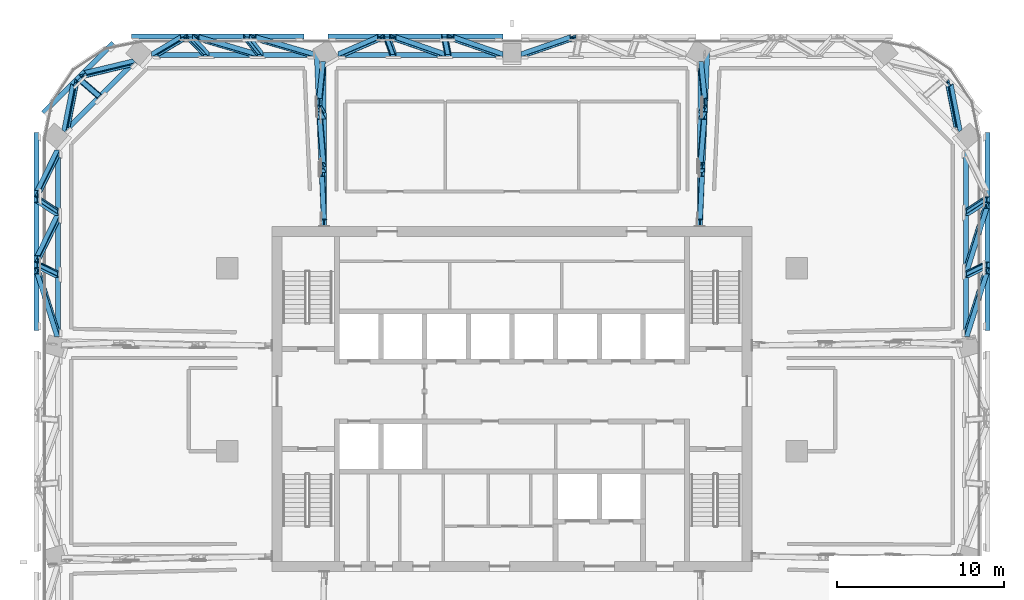
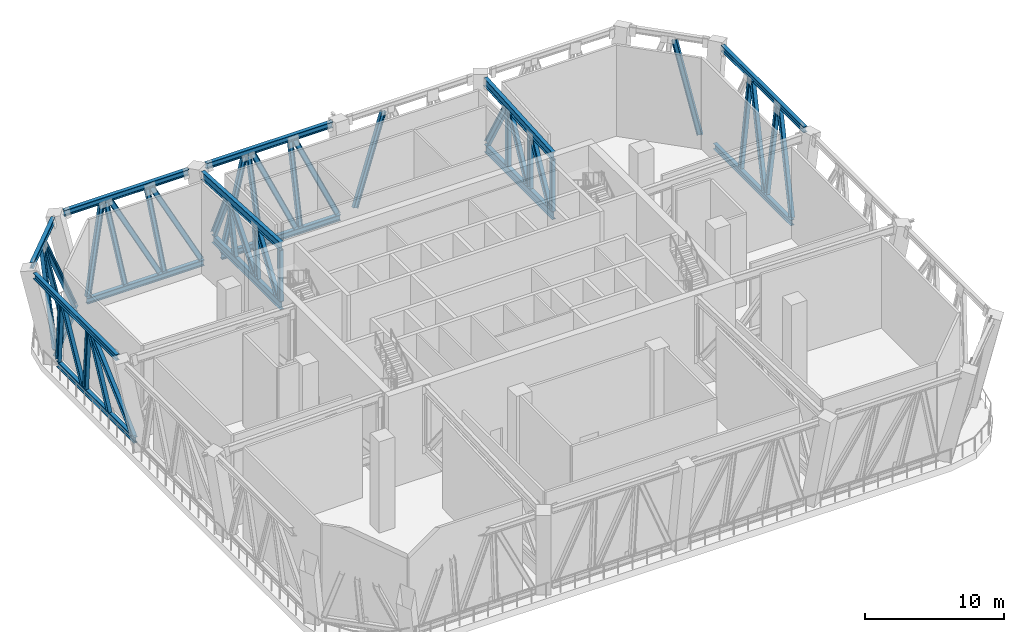
# One storey, part 4 of 24: 50 members.
"""IFC4 building model written with IfcOpenShell, lengths in metres."""

import ifcopenshell
import ifcopenshell.guid

model = None  # the IFC model being written
_history = None  # IfcOwnerHistory: only IFC2X3 demands one
_inside = {}  # id of a spatial element -> (the spatial element, [elements in it])
_under = {}  # id of a project, library or spatial element -> (it, [spatial elements below it])
_declared = {}  # id of a project -> (the project, [libraries it declares])
_typed = {}  # id of a type object -> (the type object, [elements of that type])
_made_of = {}  # id of a material, layer set ... -> (it, [elements and type objects made of it])


def new_model(schema):
    """Start an empty IFC model of exactly this schema.

    Asked for "IFC4X3", IfcOpenShell would pick the latest addendum, in which some entities
    have other attributes; the version numbers below select the first issue.
    IFC2X3 requires an IfcOwnerHistory on every rooted entity: one is made here for all.
    """
    global model, _history
    if schema == "IFC4X3":
        model = ifcopenshell.file(schema_version=(4, 3, 0, 0))
    else:
        model = ifcopenshell.file(schema=schema)
    _inside.clear()
    _under.clear()
    _declared.clear()
    _typed.clear()
    _made_of.clear()
    _history = None
    if model.schema == "IFC2X3":
        org = make("IfcOrganization", Name="unknown")
        user = make(
            "IfcPersonAndOrganization",
            ThePerson=make("IfcPerson", FamilyName="unknown"),
            TheOrganization=org,
        )
        app = make(
            "IfcApplication",
            ApplicationDeveloper=org,
            Version="unknown",
            ApplicationFullName="unknown",
            ApplicationIdentifier="unknown",
        )
        _history = make(
            "IfcOwnerHistory",
            OwningUser=user,
            OwningApplication=app,
            ChangeAction="ADDED",
            CreationDate=0,
        )
    return model


def make(cls, **values):
    """One entity of the class cls with the attributes given. An attribute that is None is left unset."""
    return model.create_entity(
        cls, **{name: value for name, value in values.items() if value is not None}
    )


def rooted(cls, **values):
    """An entity with a GlobalId (a new one), such as an element, a storey or a relation."""
    return make(cls, GlobalId=ifcopenshell.guid.new(), OwnerHistory=_history, **values)


def si_unit(unit_type, name, prefix=None):
    """IfcSIUnit, for example si_unit("LENGTHUNIT", "METRE", prefix="MILLI")."""
    return make("IfcSIUnit", UnitType=unit_type, Prefix=prefix, Name=name)


def assignment(units):
    """IfcUnitAssignment: the units of a project."""
    return None if units is None else make("IfcUnitAssignment", Units=units)


def point(xyz):
    """IfcCartesianPoint."""
    return None if xyz is None else make("IfcCartesianPoint", Coordinates=xyz)


def direction(xyz):
    """IfcDirection."""
    return None if xyz is None else make("IfcDirection", DirectionRatios=xyz)


def frame(location, z_axis=None, x_axis=None):
    """IfcAxis2Placement3D, a coordinate frame: its origin and axes. An axis left out is left unset."""
    return make(
        "IfcAxis2Placement3D",
        Location=point(location),
        Axis=direction(z_axis),
        RefDirection=direction(x_axis),
    )


def frame_2d(location, x_axis=None):
    """IfcAxis2Placement2D, a coordinate frame in the plane: its origin and x axis."""
    return make(
        "IfcAxis2Placement2D", Location=point(location), RefDirection=direction(x_axis)
    )


def origin():
    """The frame at (0, 0, 0) with its axes left unset."""
    return frame((0.0, 0.0, 0.0))


def origin_2d():
    """The frame at (0, 0) in the plane with its x axis left unset."""
    return frame_2d((0.0, 0.0))


def place(relative_to, where):
    """IfcLocalPlacement: puts the frame where relative to a parent placement (None: the world)."""
    return make(
        "IfcLocalPlacement", PlacementRelTo=relative_to, RelativePlacement=where
    )


def context(
    kind, dimensions, precision=None, world=None, true_north=None, identifier=None
):
    """IfcGeometricRepresentationContext, for example the 3D "Model" context."""
    return make(
        "IfcGeometricRepresentationContext",
        ContextIdentifier=identifier,
        ContextType=kind,
        CoordinateSpaceDimension=dimensions,
        Precision=precision,
        WorldCoordinateSystem=world,
        TrueNorth=true_north,
    )


def subcontext(parent, identifier, kind, view, scale=None):
    """IfcGeometricRepresentationSubContext, for example "Body" below "Model"."""
    return make(
        "IfcGeometricRepresentationSubContext",
        ContextIdentifier=identifier,
        ContextType=kind,
        ParentContext=parent,
        TargetScale=scale,
        TargetView=view,
    )


def project(units=None, contexts=None):
    """IfcProject with its units and contexts."""
    return rooted(
        "IfcProject",
        Name="project",
        RepresentationContexts=contexts,
        UnitsInContext=assignment(units),
    )


def spatial(cls, under=None, at=None, **own):
    """A site, building, storey or space (cls), placed at a placement, below another one or the project."""
    s = rooted(cls, ObjectPlacement=at, **own)
    if under is not None:
        _under.setdefault(under.id(), (under, []))[1].append(s)
    return s


def profile(cls, at=None, kind="AREA", **sizes):
    """A parametric profile (cls). Its sizes go by their IFC names, for example OverallWidth=200.0."""
    return make(cls, ProfileType=kind, Position=at, **sizes)


def i_section(**sizes):
    """IfcIShapeProfileDef."""
    return profile("IfcIShapeProfileDef", **sizes)


def extrude(swept, where, along, depth):
    """IfcExtrudedAreaSolid: the profile swept, set in the frame where, extruded along a direction by depth."""
    return make(
        "IfcExtrudedAreaSolid",
        SweptArea=swept,
        Position=where,
        ExtrudedDirection=direction(along),
        Depth=depth,
    )


def shape(context_of_items, identifier, shape_type, items):
    """IfcShapeRepresentation: the items that make up one representation, for example the "Body"."""
    return make(
        "IfcShapeRepresentation",
        ContextOfItems=context_of_items,
        RepresentationIdentifier=identifier,
        RepresentationType=shape_type,
        Items=items,
    )


def material(Name=None, Category=None):
    """IfcMaterial."""
    return make("IfcMaterial", Name=Name, Category=Category)


def material_profile(
    of_material, cross_section, Name=None, Category=None, Priority=None
):
    """IfcMaterialProfile: a cross section and its material."""
    return make(
        "IfcMaterialProfile",
        Name=Name,
        Material=of_material,
        Profile=cross_section,
        Priority=Priority,
        Category=Category,
    )


def profile_set(profiles, Name=None, composite=None):
    """IfcMaterialProfileSet."""
    return make(
        "IfcMaterialProfileSet",
        Name=Name,
        MaterialProfiles=profiles,
        CompositeProfile=composite,
    )


def made_of(thing, what):
    """Note that an element or type object is made of a material, layer set ...; save() writes the relation."""
    if what is not None:
        _made_of.setdefault(what.id(), (what, []))[1].append(thing)
    return thing


def type_object(cls, material=None, **own):
    """A type object (cls), such as IfcWallType, which elements share."""
    return made_of(rooted(cls, **own), material)


def element(
    cls,
    number,
    at=None,
    inside=None,
    cuts=None,
    type_object=None,
    material=None,
    context=None,
    identifier="Body",
    shape_type=None,
    held_by="IfcProductDefinitionShape",
    body=None,
    shapes=None,
    **own,
):
    """One element of the class cls, such as IfcWall. Its Tag is "e" and its number.

    at: its placement. inside: the storey or other place that contains it. cuts: it is an
    opening in that element (IfcRelVoidsElement). A single representation is given by context,
    identifier, shape_type and body (its items); several are given by shapes. held_by: the class
    of the entity that holds the representations. save() writes the other relations.
    """
    e = rooted(cls, Tag="e%d" % number, ObjectPlacement=at, **own)
    if body is not None:
        shapes = [shape(context, identifier, shape_type, body)]
    if shapes is not None:
        e.Representation = make(held_by, Representations=shapes)
    if inside is not None:
        _inside.setdefault(inside.id(), (inside, []))[1].append(e)
    if cuts is not None:
        rooted(
            "IfcRelVoidsElement", RelatingBuildingElement=cuts, RelatedOpeningElement=e
        )
    if type_object is not None:
        _typed.setdefault(type_object.id(), (type_object, []))[1].append(e)
    return made_of(e, material)


def aggregate(whole, parts):
    """IfcRelAggregates: a whole, such as a stair, and the parts it consists of."""
    return rooted("IfcRelAggregates", RelatingObject=whole, RelatedObjects=parts)


def save(model, path):
    """Write the relations noted so far, then the file.

    IfcRelAggregates (storeys below a building ...), IfcRelContainedInSpatialStructure (elements
    in a storey), IfcRelDefinesByType, IfcRelAssociatesMaterial and IfcRelDeclares: one each for
    every whole, place, type object, material and project.
    """
    for whole, parts in _under.values():
        aggregate(whole, parts)
    for where, things in _inside.values():
        rooted(
            "IfcRelContainedInSpatialStructure",
            RelatedElements=things,
            RelatingStructure=where,
        )
    for kind, things in _typed.values():
        rooted("IfcRelDefinesByType", RelatedObjects=things, RelatingType=kind)
    for what, things in _made_of.values():
        rooted("IfcRelAssociatesMaterial", RelatedObjects=things, RelatingMaterial=what)
    for by, libraries in _declared.values():
        rooted("IfcRelDeclares", RelatingContext=by, RelatedDefinitions=libraries)
    model.write(path)


model = new_model("IFC4")

# Units and contexts
model_context = context("Model", 3, precision=1e-05, world=origin(), true_north=direction((0.0, 1.0)))
body_context = subcontext(model_context, "Body", "Model", "MODEL_VIEW")
ifc_project = project(units=[si_unit("LENGTHUNIT", "METRE"), si_unit("AREAUNIT", "SQUARE_METRE"), si_unit("VOLUMEUNIT", "CUBIC_METRE"), si_unit("PLANEANGLEUNIT", "RADIAN"), si_unit("MASSUNIT", "GRAM", prefix="KILO")], contexts=[model_context])

# Site, building, storey
site_placement = place(None, origin())
site = spatial("IfcSite", under=ifc_project, at=site_placement, CompositionType="ELEMENT")
building_placement = place(site_placement, origin())
building = spatial("IfcBuilding", under=site, at=building_placement, Name="Mopane Tessera Tower", CompositionType="ELEMENT")
storey_placement = place(building_placement, frame((0.0, 0.0, 259.0)))
storey = spatial("IfcBuildingStorey", under=building, at=storey_placement, Name="L56", CompositionType="ELEMENT", Elevation=259.0)

# Members
ifc_material_1 = material(Name="Structural steel S460", Category="steel")
ifc_material_profile_1 = material_profile(ifc_material_1, i_section(OverallWidth=0.305908203125, OverallDepth=0.52392578125, WebThickness=0.02099609375, FlangeThickness=0.0400390625, FilletRadius=0.027099609375, at=origin_2d()))
ifc_profile_set_1 = profile_set([ifc_material_profile_1], Name="Structural steel S460")
member_type_1 = type_object("IfcMemberType", Name="Belt truss chord HE 500 M", PredefinedType="CHORD", material=ifc_profile_set_1)
member_1_placement = place(storey_placement, frame((27.2451171875, 6.878662109375, 0.261962890625), z_axis=(0.0, 1.0, 0.0), x_axis=(-1.0, 0.0, 0.0)))
element("IfcMember", 1, at=member_1_placement, inside=storey, type_object=member_type_1, Name="Belt truss bottom chord L56 E2-E3", PredefinedType="CHORD", context=body_context, shape_type="SweptSolid", body=[
    extrude(i_section(OverallWidth=0.305908203125, OverallDepth=0.52392578125, WebThickness=0.02099609375, FlangeThickness=0.0400390625, FilletRadius=0.027099609375, at=origin_2d()), origin(), (0.0, 0.0, 1.0), 11.13330078125),
])
member_2_placement = place(storey_placement, frame((28.53564453125, 7.24951171875, 7.738037109375), z_axis=(0.0, 1.0, 0.0), x_axis=(-1.0, 0.0, 0.0)))
element("IfcMember", 2, at=member_2_placement, inside=storey, type_object=member_type_1, Name="Belt truss top chord L56 E2-E3", PredefinedType="CHORD", context=body_context, shape_type="SweptSolid", body=[
    extrude(i_section(OverallWidth=0.305908203125, OverallDepth=0.52392578125, WebThickness=0.02099609375, FlangeThickness=0.0400390625, FilletRadius=0.027099609375, at=origin_2d()), origin(), (0.0, 0.0, 1.0), 11.874755859375),
])
member_3_placement = place(storey_placement, frame((-0.549560546875, 23.7890625, 0.261962890625), z_axis=(-1.0, 0.0, 0.0), x_axis=(0.0, -1.0, 0.0)))
element("IfcMember", 3, at=member_3_placement, inside=storey, type_object=member_type_1, Name="Belt truss bottom chord L56 N2-N3", PredefinedType="CHORD", context=body_context, shape_type="SweptSolid", body=[
    extrude(i_section(OverallWidth=0.305908203125, OverallDepth=0.52392578125, WebThickness=0.02099609375, FlangeThickness=0.0400390625, FilletRadius=0.027099609375, at=origin_2d()), origin(), (0.0, 0.0, 1.0), 9.84912109375),
])
member_4_placement = place(storey_placement, frame((-0.549560546875, 24.9013671875, 7.738037109375), z_axis=(-1.0, 0.0, 0.0), x_axis=(0.0, -1.0, 0.0)))
element("IfcMember", 4, at=member_4_placement, inside=storey, type_object=member_type_1, Name="Belt truss top chord L56 N2-N3", PredefinedType="CHORD", context=body_context, shape_type="SweptSolid", body=[
    extrude(i_section(OverallWidth=0.305908203125, OverallDepth=0.52392578125, WebThickness=0.02099609375, FlangeThickness=0.0400390625, FilletRadius=0.027099609375, at=origin_2d()), origin(), (0.0, 0.0, 1.0), 10.494384765625),
])
member_5_placement = place(storey_placement, frame((-11.8466796875, 23.7890625, 0.261962890625), z_axis=(-1.0, 0.0, 0.0), x_axis=(0.0, -1.0, 0.0)))
element("IfcMember", 5, at=member_5_placement, inside=storey, type_object=member_type_1, Name="Belt truss bottom chord L56 N3-N4", PredefinedType="CHORD", context=body_context, shape_type="SweptSolid", body=[
    extrude(i_section(OverallWidth=0.305908203125, OverallDepth=0.52392578125, WebThickness=0.02099609375, FlangeThickness=0.0400390625, FilletRadius=0.027099609375, at=origin_2d()), origin(), (0.0, 0.0, 1.0), 9.70751953125),
])
member_6_placement = place(storey_placement, frame((-12.49169921875, 24.9013671875, 7.738037109375), z_axis=(-1.0, 0.0, 0.0), x_axis=(0.0, -1.0, 0.0)))
element("IfcMember", 6, at=member_6_placement, inside=storey, type_object=member_type_1, Name="Belt truss top chord L56 N3-N4", PredefinedType="CHORD", context=body_context, shape_type="SweptSolid", body=[
    extrude(i_section(OverallWidth=0.305908203125, OverallDepth=0.52392578125, WebThickness=0.02099609375, FlangeThickness=0.0400390625, FilletRadius=0.027099609375, at=origin_2d()), origin(), (0.0, 0.0, 1.0), 10.352783203125),
])
member_7_placement = place(storey_placement, frame((-22.642822265625, 23.391357421875, 0.261962890625), z_axis=(-0.707106781187, -0.707106781187, 0.0), x_axis=(0.707106781187, -0.707106781187, 0.0)))
element("IfcMember", 7, at=member_7_placement, inside=storey, type_object=member_type_1, Name="Belt truss bottom chord L56 N4-W0", PredefinedType="CHORD", context=body_context, shape_type="SweptSolid", body=[
    extrude(i_section(OverallWidth=0.305908203125, OverallDepth=0.52392578125, WebThickness=0.02099609375, FlangeThickness=0.0400390625, FilletRadius=0.027099609375, at=origin_2d()), origin(), (0.0, 0.0, 1.0), 5.946533203125),
])
member_8_placement = place(storey_placement, frame((-23.933349609375, 24.50390625, 7.738037109375), z_axis=(-0.707086252313, -0.707127309464, 0.0), x_axis=(0.707127309464, -0.707086252313, 0.0)))
element("IfcMember", 8, at=member_8_placement, inside=storey, type_object=member_type_1, Name="Belt truss top chord L56 N4-W0", PredefinedType="CHORD", context=body_context, shape_type="SweptSolid", body=[
    extrude(i_section(OverallWidth=0.305908203125, OverallDepth=0.52392578125, WebThickness=0.02099609375, FlangeThickness=0.0400390625, FilletRadius=0.027099609375, at=origin_2d()), origin(), (0.0, 0.0, 1.0), 5.9462890625),
])
member_9_placement = place(storey_placement, frame((-27.2451171875, 18.011962890625, 0.261962890625), z_axis=(0.0, -1.0, 0.0), x_axis=(1.0, 0.0, 0.0)))
element("IfcMember", 9, at=member_9_placement, inside=storey, type_object=member_type_1, Name="Belt truss bottom chord L56 W0-W1", PredefinedType="CHORD", context=body_context, shape_type="SweptSolid", body=[
    extrude(i_section(OverallWidth=0.305908203125, OverallDepth=0.52392578125, WebThickness=0.02099609375, FlangeThickness=0.0400390625, FilletRadius=0.027099609375, at=origin_2d()), origin(), (0.0, 0.0, 1.0), 11.13330078125),
])
member_10_placement = place(storey_placement, frame((-28.53564453125, 19.124267578125, 7.738037109375), z_axis=(0.0, -1.0, 0.0), x_axis=(1.0, 0.0, 0.0)))
element("IfcMember", 10, at=member_10_placement, inside=storey, type_object=member_type_1, Name="Belt truss top chord L56 W0-W1", PredefinedType="CHORD", context=body_context, shape_type="SweptSolid", body=[
    extrude(i_section(OverallWidth=0.305908203125, OverallDepth=0.52392578125, WebThickness=0.02099609375, FlangeThickness=0.0400390625, FilletRadius=0.027099609375, at=origin_2d()), origin(), (0.0, 0.0, 1.0), 11.874755859375),
])
ifc_material_2 = material(Name="Structural steel S460", Category="steel")
ifc_material_profile_2 = material_profile(ifc_material_2, i_section(OverallWidth=0.300048828125, OverallDepth=0.39990234375, WebThickness=0.013427734375, FlangeThickness=0.02392578125, FilletRadius=0.027099609375, at=origin_2d()))
ifc_profile_set_2 = profile_set([ifc_material_profile_2], Name="Structural steel S460")
member_type_2 = type_object("IfcMemberType", Name="Belt truss diagonal HE 400 B", PredefinedType="BRACE", material=ifc_profile_set_2)
member_11_placement = place(storey_placement, frame((27.298583984375, 7.060302734375, 0.572021484375), z_axis=(0.149601424619, 0.476113939861, 0.86656501777), x_axis=(-0.988746384813, 0.072052618146, 0.131106852368)))
element("IfcMember", 11, at=member_11_placement, inside=storey, type_object=member_type_2, Name="Belt truss diagonal 0 L56 E2-E3", PredefinedType="BRACE", context=body_context, shape_type="SweptSolid", body=[
    extrude(i_section(OverallWidth=0.300048828125, OverallDepth=0.39990234375, WebThickness=0.013427734375, FlangeThickness=0.02392578125, FilletRadius=0.027099609375, at=origin_2d()), origin(), (0.0, 0.0, 1.0), 7.91162109375),
])
member_12_placement = place(storey_placement, frame((27.2978515625, 10.963134765625, 0.5673828125), z_axis=(0.149483272828, 0.477213184124, 0.865980558698), x_axis=(-0.988764254566, 0.072140563392, 0.130923596065)))
element("IfcMember", 12, at=member_12_placement, inside=storey, type_object=member_type_2, Name="Belt truss diagonal 1 L56 E2-E3", PredefinedType="BRACE", context=body_context, shape_type="SweptSolid", body=[
    extrude(i_section(OverallWidth=0.300048828125, OverallDepth=0.39990234375, WebThickness=0.013427734375, FlangeThickness=0.02392578125, FilletRadius=0.027099609375, at=origin_2d()), origin(), (0.0, 0.0, 1.0), 7.927734375),
])
member_13_placement = place(storey_placement, frame((26.77392578125, 19.353759765625, 0.552490234375), z_axis=(-0.072187286105, 0.369890146613, 0.926266848788), x_axis=(-0.738836798627, -0.64368734393, 0.199466258447)))
element("IfcMember", 13, at=member_13_placement, inside=storey, type_object=member_type_2, Name="Belt truss diagonal 0 L56 E3-N0", PredefinedType="BRACE", context=body_context, shape_type="SweptSolid", body=[
    extrude(i_section(OverallWidth=0.300048828125, OverallDepth=0.39990234375, WebThickness=0.013427734375, FlangeThickness=0.02392578125, FilletRadius=0.027099609375, at=origin_2d()), origin(), (0.0, 0.0, 1.0), 7.44384765625),
])
for number, where, z_axis, x_axis, name in (
    (14, (3.67578125, 24.85693359375, 7.439208984375), (-0.390955443246, -0.135456254078, -0.910387524424), (0.05343243507, -0.990783327914, 0.124472374484), "Belt truss diagonal 2 L56 N1-N2"),
    (15, (-0.721923828125, 23.83349609375, 0.560791015625), (-0.390955443246, 0.135456254078, 0.910387524424), (-0.05343243507, -0.990783327914, 0.124472374484), "Belt truss diagonal 0 L56 N2-N3"),
):
    element("IfcMember", number, at=place(storey_placement, frame(where, z_axis=z_axis, x_axis=x_axis)), inside=storey, type_object=member_type_2, Name=name, PredefinedType="BRACE", context=body_context, shape_type="SweptSolid", body=[
        extrude(i_section(OverallWidth=0.300048828125, OverallDepth=0.39990234375, WebThickness=0.013427734375, FlangeThickness=0.02392578125, FilletRadius=0.027099609375, at=origin_2d()), origin(), (0.0, 0.0, 1.0), 7.555419921875),
    ])
member_14_placement = place(storey_placement, frame((-4.195556640625, 23.832763671875, 0.55615234375), z_axis=(-0.389358823278, 0.135566752934, 0.911055081888), x_axis=(-0.053271442179, -0.990768214809, 0.124661533653)))
element("IfcMember", 16, at=member_14_placement, inside=storey, type_object=member_type_2, Name="Belt truss diagonal 1 L56 N2-N3", PredefinedType="BRACE", context=body_context, shape_type="SweptSolid", body=[
    extrude(i_section(OverallWidth=0.300048828125, OverallDepth=0.39990234375, WebThickness=0.013427734375, FlangeThickness=0.02392578125, FilletRadius=0.027099609375, at=origin_2d()), origin(), (0.0, 0.0, 1.0), 7.56005859375),
])
member_15_placement = place(storey_placement, frame((-7.882080078125, 24.85693359375, 7.439208984375), z_axis=(-0.322539725509, -0.139304196305, -0.936249147589), x_axis=(0.045353355245, -0.990249635418, 0.131714588119)))
element("IfcMember", 17, at=member_15_placement, inside=storey, type_object=member_type_2, Name="Belt truss diagonal 2 L56 N2-N3", PredefinedType="BRACE", context=body_context, shape_type="SweptSolid", body=[
    extrude(i_section(OverallWidth=0.300048828125, OverallDepth=0.39990234375, WebThickness=0.013427734375, FlangeThickness=0.02392578125, FilletRadius=0.027099609375, at=origin_2d()), origin(), (0.0, 0.0, 1.0), 7.3466796875),
])
member_16_placement = place(storey_placement, frame((-12.045654296875, 23.833251953125, 0.5595703125), z_axis=(-0.450040201118, 0.131439317792, 0.883282244312), x_axis=(-0.059668651394, -0.991324218272, 0.117115098546)))
element("IfcMember", 18, at=member_16_placement, inside=storey, type_object=member_type_2, Name="Belt truss diagonal 0 L56 N3-N4", PredefinedType="BRACE", context=body_context, shape_type="SweptSolid", body=[
    extrude(i_section(OverallWidth=0.300048828125, OverallDepth=0.39990234375, WebThickness=0.013427734375, FlangeThickness=0.02392578125, FilletRadius=0.027099609375, at=origin_2d()), origin(), (0.0, 0.0, 1.0), 7.7900390625),
])
member_17_placement = place(storey_placement, frame((-15.471435546875, 23.83251953125, 0.554931640625), z_axis=(-0.448355915873, 0.131574542109, 0.884118268429), x_axis=(-0.059511112714, -0.991306279545, 0.117346868717)))
element("IfcMember", 19, at=member_17_placement, inside=storey, type_object=member_type_2, Name="Belt truss diagonal 1 L56 N3-N4", PredefinedType="BRACE", context=body_context, shape_type="SweptSolid", body=[
    extrude(i_section(OverallWidth=0.300048828125, OverallDepth=0.39990234375, WebThickness=0.013427734375, FlangeThickness=0.02392578125, FilletRadius=0.027099609375, at=origin_2d()), origin(), (0.0, 0.0, 1.0), 7.793212890625),
])
member_18_placement = place(storey_placement, frame((-19.70947265625, 24.857177734375, 7.4404296875), z_axis=(-0.240368104907, -0.142871858274, -0.960109788648), x_axis=(0.034683429233, -0.989741194403, 0.138598080211)))
element("IfcMember", 20, at=member_18_placement, inside=storey, type_object=member_type_2, Name="Belt truss diagonal 2 L56 N3-N4", PredefinedType="BRACE", context=body_context, shape_type="SweptSolid", body=[
    extrude(i_section(OverallWidth=0.300048828125, OverallDepth=0.39990234375, WebThickness=0.013427734375, FlangeThickness=0.02392578125, FilletRadius=0.027099609375, at=origin_2d()), origin(), (0.0, 0.0, 1.0), 7.166748046875),
])
member_19_placement = place(storey_placement, frame((-22.81689453125, 23.310791015625, 0.552490234375), z_axis=(-0.387981452235, -0.093277883872, 0.916934909959), x_axis=(0.640323134675, -0.742843451968, 0.195371157208)))
element("IfcMember", 21, at=member_19_placement, inside=storey, type_object=member_type_2, Name="Belt truss diagonal 0 L56 N4-W0", PredefinedType="BRACE", context=body_context, shape_type="SweptSolid", body=[
    extrude(i_section(OverallWidth=0.300048828125, OverallDepth=0.39990234375, WebThickness=0.013427734375, FlangeThickness=0.02392578125, FilletRadius=0.027099609375, at=origin_2d()), origin(), (0.0, 0.0, 1.0), 7.51953125),
])
member_20_placement = place(storey_placement, frame((-26.236572265625, 22.107177734375, 7.447509765625), z_axis=(-0.072187286105, -0.369890146613, -0.926266848788), x_axis=(0.738836798627, -0.64368734393, 0.199466258447)))
element("IfcMember", 22, at=member_20_placement, inside=storey, type_object=member_type_2, Name="Belt truss diagonal 1 L56 N4-W0", PredefinedType="BRACE", context=body_context, shape_type="SweptSolid", body=[
    extrude(i_section(OverallWidth=0.300048828125, OverallDepth=0.39990234375, WebThickness=0.013427734375, FlangeThickness=0.02392578125, FilletRadius=0.027099609375, at=origin_2d()), origin(), (0.0, 0.0, 1.0), 7.44384765625),
])
member_21_placement = place(storey_placement, frame((-27.298583984375, 17.891357421875, 0.572021484375), z_axis=(-0.160713742004, -0.327924986779, 0.930933024539), x_axis=(0.987001059242, -0.053440823985, 0.151568424768)))
element("IfcMember", 23, at=member_21_placement, inside=storey, type_object=member_type_2, Name="Belt truss diagonal 0 L56 W0-W1", PredefinedType="BRACE", context=body_context, shape_type="SweptSolid", body=[
    extrude(i_section(OverallWidth=0.300048828125, OverallDepth=0.39990234375, WebThickness=0.013427734375, FlangeThickness=0.02392578125, FilletRadius=0.027099609375, at=origin_2d()), origin(), (0.0, 0.0, 1.0), 7.364501953125),
])
member_22_placement = place(storey_placement, frame((-27.2978515625, 13.987548828125, 0.5673828125), z_axis=(-0.160614223965, -0.329302174886, 0.930463942706), x_axis=(0.98701725975, -0.053582615733, 0.151412787591)))
element("IfcMember", 24, at=member_22_placement, inside=storey, type_object=member_type_2, Name="Belt truss diagonal 1 L56 W0-W1", PredefinedType="BRACE", context=body_context, shape_type="SweptSolid", body=[
    extrude(i_section(OverallWidth=0.300048828125, OverallDepth=0.39990234375, WebThickness=0.013427734375, FlangeThickness=0.02392578125, FilletRadius=0.027099609375, at=origin_2d()), origin(), (0.0, 0.0, 1.0), 7.378173828125),
])
member_23_placement = place(storey_placement, frame((-28.482177734375, 10.8271484375, 7.427978515625), z_axis=(0.149601424619, -0.476113939861, -0.86656501777), x_axis=(0.988746384813, 0.072052618146, 0.131106852368)))
element("IfcMember", 25, at=member_23_placement, inside=storey, type_object=member_type_2, Name="Belt truss diagonal 2 L56 W0-W1", PredefinedType="BRACE", context=body_context, shape_type="SweptSolid", body=[
    extrude(i_section(OverallWidth=0.300048828125, OverallDepth=0.39990234375, WebThickness=0.013427734375, FlangeThickness=0.02392578125, FilletRadius=0.027099609375, at=origin_2d()), origin(), (0.0, 0.0, 1.0), 7.91162109375),
])
ifc_material_3 = material(Name="Structural steel S460", Category="steel")
ifc_material_profile_3 = material_profile(ifc_material_3, i_section(OverallWidth=0.300048828125, OverallDepth=0.360107421875, WebThickness=0.012451171875, FlangeThickness=0.0224609375, FilletRadius=0.027099609375, at=origin_2d()))
ifc_profile_set_3 = profile_set([ifc_material_profile_3], Name="Structural steel S460")
member_type_3 = type_object("IfcMemberType", Name="Belt truss post HE 360 B", PredefinedType="POST", material=ifc_profile_set_3)
member_24_placement = place(storey_placement, frame((27.290283203125, 10.61181640625, 0.52392578125), z_axis=(0.169542223382, 0.082356962863, 0.982075743086), x_axis=(-0.985522915206, 0.014304111969, 0.168937787322)))
element("IfcMember", 26, at=member_24_placement, inside=storey, type_object=member_type_3, Name="Belt truss post 1 L56 E2-E3", PredefinedType="POST", context=body_context, shape_type="SweptSolid", body=[
    extrude(i_section(OverallWidth=0.300048828125, OverallDepth=0.360107421875, WebThickness=0.012451171875, FlangeThickness=0.0224609375, FilletRadius=0.027099609375, at=origin_2d()), origin(), (0.0, 0.0, 1.0), 7.0791015625),
])
member_25_placement = place(storey_placement, frame((27.290283203125, 14.33056640625, 0.52392578125), z_axis=(0.169070502706, 0.110913826531, 0.979343294355), x_axis=(-0.985603952965, 0.019141168536, 0.167983521711)))
element("IfcMember", 27, at=member_25_placement, inside=storey, type_object=member_type_3, Name="Belt truss post 2 L56 E2-E3", PredefinedType="POST", context=body_context, shape_type="SweptSolid", body=[
    extrude(i_section(OverallWidth=0.300048828125, OverallDepth=0.360107421875, WebThickness=0.012451171875, FlangeThickness=0.0224609375, FilletRadius=0.027099609375, at=origin_2d()), origin(), (0.0, 0.0, 1.0), 7.098876953125),
])
member_26_placement = place(storey_placement, frame((-3.84033203125, 23.827880859375, 0.52392578125), z_axis=(-0.029407583865, 0.147142078416, 0.988678108775), x_axis=(-0.004329345509, -0.989115365741, 0.147078380544)))
element("IfcMember", 28, at=member_26_placement, inside=storey, type_object=member_type_3, Name="Belt truss post 1 L56 N2-N3", PredefinedType="POST", context=body_context, shape_type="SweptSolid", body=[
    extrude(i_section(OverallWidth=0.300048828125, OverallDepth=0.360107421875, WebThickness=0.012451171875, FlangeThickness=0.0224609375, FilletRadius=0.027099609375, at=origin_2d()), origin(), (0.0, 0.0, 1.0), 7.03173828125),
])
member_27_placement = place(storey_placement, frame((-7.130126953125, 23.827880859375, 0.52392578125), z_axis=(-0.054521762792, 0.146986787986, 0.987634680203), x_axis=(-0.00814252161, -0.989138454689, 0.146761087477)))
element("IfcMember", 29, at=member_27_placement, inside=storey, type_object=member_type_3, Name="Belt truss post 2 L56 N2-N3", PredefinedType="POST", context=body_context, shape_type="SweptSolid", body=[
    extrude(i_section(OverallWidth=0.300048828125, OverallDepth=0.360107421875, WebThickness=0.012451171875, FlangeThickness=0.0224609375, FilletRadius=0.027099609375, at=origin_2d()), origin(), (0.0, 0.0, 1.0), 7.039306640625),
])
member_28_placement = place(storey_placement, frame((-15.113037109375, 23.827880859375, 0.52392578125), z_axis=(-0.115002703841, 0.14622906057, 0.98254335271), x_axis=(-0.016961755539, -0.989250757106, 0.145241999487)))
element("IfcMember", 30, at=member_28_placement, inside=storey, type_object=member_type_3, Name="Belt truss post 1 L56 N3-N4", PredefinedType="POST", context=body_context, shape_type="SweptSolid", body=[
    extrude(i_section(OverallWidth=0.300048828125, OverallDepth=0.360107421875, WebThickness=0.012451171875, FlangeThickness=0.0224609375, FilletRadius=0.027099609375, at=origin_2d()), origin(), (0.0, 0.0, 1.0), 7.07568359375),
])
member_29_placement = place(storey_placement, frame((-18.35546875, 23.827880859375, 0.52392578125), z_axis=(-0.139236524581, 0.145771835764, 0.979471164517), x_axis=(-0.020509231245, -0.989318235884, 0.144321861062)))
element("IfcMember", 31, at=member_29_placement, inside=storey, type_object=member_type_3, Name="Belt truss post 2 L56 N3-N4", PredefinedType="POST", context=body_context, shape_type="SweptSolid", body=[
    extrude(i_section(OverallWidth=0.300048828125, OverallDepth=0.360107421875, WebThickness=0.012451171875, FlangeThickness=0.0224609375, FilletRadius=0.027099609375, at=origin_2d()), origin(), (0.0, 0.0, 1.0), 7.097900390625),
])
member_30_placement = place(storey_placement, frame((-24.790283203125, 21.327880859375, 0.52392578125), z_axis=(-0.168319620267, 0.14510548224, 0.974993797138), x_axis=(0.686891024749, -0.692153827659, 0.221593770167)))
element("IfcMember", 32, at=member_30_placement, inside=storey, type_object=member_type_3, Name="Belt truss post 1 L56 N4-W0", PredefinedType="POST", context=body_context, shape_type="SweptSolid", body=[
    extrude(i_section(OverallWidth=0.300048828125, OverallDepth=0.360107421875, WebThickness=0.012451171875, FlangeThickness=0.0224609375, FilletRadius=0.027099609375, at=origin_2d()), origin(), (0.0, 0.0, 1.0), 7.13037109375),
])
member_31_placement = place(storey_placement, frame((-27.290283203125, 14.33056640625, 0.52392578125), z_axis=(-0.169070502706, 0.110913826531, 0.979343294355), x_axis=(0.985603952965, 0.019141168536, 0.167983521711)))
element("IfcMember", 33, at=member_31_placement, inside=storey, type_object=member_type_3, Name="Belt truss post 1 L56 W0-W1", PredefinedType="POST", context=body_context, shape_type="SweptSolid", body=[
    extrude(i_section(OverallWidth=0.300048828125, OverallDepth=0.360107421875, WebThickness=0.012451171875, FlangeThickness=0.0224609375, FilletRadius=0.027099609375, at=origin_2d()), origin(), (0.0, 0.0, 1.0), 7.098876953125),
])
member_32_placement = place(storey_placement, frame((-27.290283203125, 10.61181640625, 0.52392578125), z_axis=(-0.169542223382, 0.082356962863, 0.982075743086), x_axis=(0.985522915206, 0.014304111969, 0.168937787322)))
element("IfcMember", 34, at=member_32_placement, inside=storey, type_object=member_type_3, Name="Belt truss post 2 L56 W0-W1", PredefinedType="POST", context=body_context, shape_type="SweptSolid", body=[
    extrude(i_section(OverallWidth=0.300048828125, OverallDepth=0.360107421875, WebThickness=0.012451171875, FlangeThickness=0.0224609375, FilletRadius=0.027099609375, at=origin_2d()), origin(), (0.0, 0.0, 1.0), 7.0791015625),
])
ifc_material_4 = material(Name="Structural steel S460", Category="steel")
ifc_material_profile_4 = material_profile(ifc_material_4, i_section(OverallWidth=0.303955078125, OverallDepth=0.716064453125, WebThickness=0.02099609375, FlangeThickness=0.0400390625, FilletRadius=0.027099609375, at=origin_2d()))
ifc_profile_set_4 = profile_set([ifc_material_profile_4], Name="Structural steel S460")
member_type_4 = type_object("IfcMemberType", Name="Outrigger truss chord HE 700 M", PredefinedType="CHORD", material=ifc_profile_set_4)
member_33_placement = place(storey_placement, frame((11.28125, 13.514892578125, 2.4580078125), z_axis=(0.002915076313, 0.999995751156, 0.0), x_axis=(-0.999995751156, 0.002915076313, 0.0)))
element("IfcMember", 35, at=member_33_placement, inside=storey, type_object=member_type_4, Name="Outrigger truss bottom chord L56 N1", PredefinedType="CHORD", context=body_context, shape_type="SweptSolid", body=[
    extrude(i_section(OverallWidth=0.303955078125, OverallDepth=0.716064453125, WebThickness=0.02099609375, FlangeThickness=0.0400390625, FilletRadius=0.027099609375, at=origin_2d()), origin(), (0.0, 0.0, 1.0), 9.798828125),
])
member_34_placement = place(storey_placement, frame((11.281982421875, 13.514892578125, 7.64208984375), z_axis=(0.041952518026, 0.999119605568, 0.0), x_axis=(-0.999119605568, 0.041952518026, 0.0)))
element("IfcMember", 36, at=member_34_placement, inside=storey, type_object=member_type_4, Name="Outrigger truss top chord L56 N1", PredefinedType="CHORD", context=body_context, shape_type="SweptSolid", body=[
    extrude(i_section(OverallWidth=0.303955078125, OverallDepth=0.716064453125, WebThickness=0.02099609375, FlangeThickness=0.0400390625, FilletRadius=0.027099609375, at=origin_2d()), origin(), (0.0, 0.0, 1.0), 10.59716796875),
])
member_35_placement = place(storey_placement, frame((-11.28125, 13.514892578125, 2.4580078125), z_axis=(-0.002915076313, 0.999995751156, 0.0), x_axis=(-0.999995751156, -0.002915076313, 0.0)))
element("IfcMember", 37, at=member_35_placement, inside=storey, type_object=member_type_4, Name="Outrigger truss bottom chord L56 N3", PredefinedType="CHORD", context=body_context, shape_type="SweptSolid", body=[
    extrude(i_section(OverallWidth=0.303955078125, OverallDepth=0.716064453125, WebThickness=0.02099609375, FlangeThickness=0.0400390625, FilletRadius=0.027099609375, at=origin_2d()), origin(), (0.0, 0.0, 1.0), 9.798828125),
])
member_36_placement = place(storey_placement, frame((-11.281982421875, 13.514892578125, 7.64208984375), z_axis=(-0.041952518026, 0.999119605568, 0.0), x_axis=(-0.999119605568, -0.041952518026, 0.0)))
element("IfcMember", 38, at=member_36_placement, inside=storey, type_object=member_type_4, Name="Outrigger truss top chord L56 N3", PredefinedType="CHORD", context=body_context, shape_type="SweptSolid", body=[
    extrude(i_section(OverallWidth=0.303955078125, OverallDepth=0.716064453125, WebThickness=0.02099609375, FlangeThickness=0.0400390625, FilletRadius=0.027099609375, at=origin_2d()), origin(), (0.0, 0.0, 1.0), 10.59716796875),
])
ifc_material_5 = material(Name="Structural steel S460", Category="steel")
ifc_material_profile_5 = material_profile(ifc_material_5, i_section(OverallWidth=0.300048828125, OverallDepth=0.5, WebThickness=0.014404296875, FlangeThickness=0.028076171875, FilletRadius=0.027099609375, at=origin_2d()))
ifc_profile_set_5 = profile_set([ifc_material_profile_5], Name="Structural steel S460")
member_type_5 = type_object("IfcMemberType", Name="Outrigger truss diagonal HE 500 B", PredefinedType="BRACE", material=ifc_profile_set_5)
member_37_placement = place(storey_placement, frame((11.285400390625, 14.117431640625, 2.902587890625), z_axis=(0.024067600386, 0.517574961839, 0.855299309884), x_axis=(-0.999707323781, 0.01455965601, 0.019320538176)))
element("IfcMember", 39, at=member_37_placement, inside=storey, type_object=member_type_5, Name="Outrigger truss diagonal 0 L56 N1", PredefinedType="BRACE", context=body_context, shape_type="SweptSolid", body=[
    extrude(i_section(OverallWidth=0.300048828125, OverallDepth=0.5, WebThickness=0.014404296875, FlangeThickness=0.028076171875, FilletRadius=0.027099609375, at=origin_2d()), origin(), (0.0, 0.0, 1.0), 5.021240234375),
])
member_38_placement = place(storey_placement, frame((11.30615234375, 17.3369140625, 2.902587890625), z_axis=(0.045376433175, 0.544421969489, 0.837583248669), x_axis=(-0.998966976477, 0.026778211912, 0.036713856721)))
element("IfcMember", 40, at=member_38_placement, inside=storey, type_object=member_type_5, Name="Outrigger truss diagonal 1 L56 N1", PredefinedType="BRACE", context=body_context, shape_type="SweptSolid", body=[
    extrude(i_section(OverallWidth=0.300048828125, OverallDepth=0.5, WebThickness=0.014404296875, FlangeThickness=0.028076171875, FilletRadius=0.027099609375, at=origin_2d()), origin(), (0.0, 0.0, 1.0), 5.12744140625),
])
member_39_placement = place(storey_placement, frame((11.571044921875, 20.97119140625, 7.188232421875), z_axis=(-0.046957512977, 0.458836194759, -0.887279177235), x_axis=(-0.998893557383, -0.019275876314, 0.042896405574)))
element("IfcMember", 41, at=member_39_placement, inside=storey, type_object=member_type_5, Name="Outrigger truss diagonal 2 L56 N1", PredefinedType="BRACE", context=body_context, shape_type="SweptSolid", body=[
    extrude(i_section(OverallWidth=0.300048828125, OverallDepth=0.5, WebThickness=0.014404296875, FlangeThickness=0.028076171875, FilletRadius=0.027099609375, at=origin_2d()), origin(), (0.0, 0.0, 1.0), 4.819580078125),
])
member_40_placement = place(storey_placement, frame((-11.285400390625, 14.117431640625, 2.902587890625), z_axis=(-0.024067600386, 0.517574961839, 0.855299309884), x_axis=(-0.999707323781, -0.01455965601, -0.019320538176)))
element("IfcMember", 42, at=member_40_placement, inside=storey, type_object=member_type_5, Name="Outrigger truss diagonal 0 L56 N3", PredefinedType="BRACE", context=body_context, shape_type="SweptSolid", body=[
    extrude(i_section(OverallWidth=0.300048828125, OverallDepth=0.5, WebThickness=0.014404296875, FlangeThickness=0.028076171875, FilletRadius=0.027099609375, at=origin_2d()), origin(), (0.0, 0.0, 1.0), 5.021240234375),
])
member_41_placement = place(storey_placement, frame((-11.30615234375, 17.3369140625, 2.902587890625), z_axis=(-0.045376433175, 0.544421969489, 0.837583248669), x_axis=(-0.998966976477, -0.026778211912, -0.036713856721)))
element("IfcMember", 43, at=member_41_placement, inside=storey, type_object=member_type_5, Name="Outrigger truss diagonal 1 L56 N3", PredefinedType="BRACE", context=body_context, shape_type="SweptSolid", body=[
    extrude(i_section(OverallWidth=0.300048828125, OverallDepth=0.5, WebThickness=0.014404296875, FlangeThickness=0.028076171875, FilletRadius=0.027099609375, at=origin_2d()), origin(), (0.0, 0.0, 1.0), 5.12744140625),
])
member_42_placement = place(storey_placement, frame((-11.571044921875, 20.97119140625, 7.188232421875), z_axis=(0.046957512977, 0.458836194759, -0.887279177235), x_axis=(-0.998893557383, 0.019275876314, -0.042896405574)))
element("IfcMember", 44, at=member_42_placement, inside=storey, type_object=member_type_5, Name="Outrigger truss diagonal 2 L56 N3", PredefinedType="BRACE", context=body_context, shape_type="SweptSolid", body=[
    extrude(i_section(OverallWidth=0.300048828125, OverallDepth=0.5, WebThickness=0.014404296875, FlangeThickness=0.028076171875, FilletRadius=0.027099609375, at=origin_2d()), origin(), (0.0, 0.0, 1.0), 4.819580078125),
])
ifc_material_6 = material(Name="Structural steel S460", Category="steel")
ifc_material_profile_6 = material_profile(ifc_material_6, i_section(OverallWidth=0.300048828125, OverallDepth=0.39990234375, WebThickness=0.013427734375, FlangeThickness=0.02392578125, FilletRadius=0.027099609375, at=origin_2d()))
ifc_profile_set_6 = profile_set([ifc_material_profile_6], Name="Structural steel S460")
member_type_6 = type_object("IfcMemberType", Name="Outrigger truss post HE 400 B", PredefinedType="POST", material=ifc_profile_set_6)
member_43_placement = place(storey_placement, frame((11.282470703125, 13.716064453125, 2.81591796875), z_axis=(0.001748527762, 0.003005282091, 0.999993955447), x_axis=(-0.999988977522, 0.004362704931, 0.00173540782)))
element("IfcMember", 45, at=member_43_placement, inside=storey, type_object=member_type_6, Name="Outrigger truss post 0 L56 N1", PredefinedType="POST", context=body_context, shape_type="SweptSolid", body=[
    extrude(i_section(OverallWidth=0.300048828125, OverallDepth=0.39990234375, WebThickness=0.013427734375, FlangeThickness=0.02392578125, FilletRadius=0.027099609375, at=origin_2d()), origin(), (0.0, 0.0, 1.0), 4.468017578125),
])
member_44_placement = place(storey_placement, frame((11.30126953125, 16.931640625, 2.81591796875), z_axis=(0.027715650129, 0.047793128962, 0.998472663402), x_axis=(-0.999611564403, 0.00424916671, 0.027543872175)))
element("IfcMember", 46, at=member_44_placement, inside=storey, type_object=member_type_6, Name="Outrigger truss post 1 L56 N1", PredefinedType="POST", context=body_context, shape_type="SweptSolid", body=[
    extrude(i_section(OverallWidth=0.300048828125, OverallDepth=0.39990234375, WebThickness=0.013427734375, FlangeThickness=0.02392578125, FilletRadius=0.027099609375, at=origin_2d()), origin(), (0.0, 0.0, 1.0), 4.474853515625),
])
member_45_placement = place(storey_placement, frame((11.31982421875, 20.147216796875, 2.81591796875), z_axis=(0.053461314822, 0.092199035825, 0.994304392835), x_axis=(-0.998565795616, 0.007798429763, 0.052967313676)))
element("IfcMember", 47, at=member_45_placement, inside=storey, type_object=member_type_6, Name="Outrigger truss post 2 L56 N1", PredefinedType="POST", context=body_context, shape_type="SweptSolid", body=[
    extrude(i_section(OverallWidth=0.300048828125, OverallDepth=0.39990234375, WebThickness=0.013427734375, FlangeThickness=0.02392578125, FilletRadius=0.027099609375, at=origin_2d()), origin(), (0.0, 0.0, 1.0), 4.49365234375),
])
member_46_placement = place(storey_placement, frame((-11.282470703125, 13.716064453125, 2.81591796875), z_axis=(-0.001748527762, 0.003005282091, 0.999993955447), x_axis=(-0.999988977522, -0.004362704931, -0.00173540782)))
element("IfcMember", 48, at=member_46_placement, inside=storey, type_object=member_type_6, Name="Outrigger truss post 0 L56 N3", PredefinedType="POST", context=body_context, shape_type="SweptSolid", body=[
    extrude(i_section(OverallWidth=0.300048828125, OverallDepth=0.39990234375, WebThickness=0.013427734375, FlangeThickness=0.02392578125, FilletRadius=0.027099609375, at=origin_2d()), origin(), (0.0, 0.0, 1.0), 4.468017578125),
])
member_47_placement = place(storey_placement, frame((-11.30126953125, 16.931640625, 2.81591796875), z_axis=(-0.027715650129, 0.047793128962, 0.998472663402), x_axis=(-0.999611564403, -0.00424916671, -0.027543872175)))
element("IfcMember", 49, at=member_47_placement, inside=storey, type_object=member_type_6, Name="Outrigger truss post 1 L56 N3", PredefinedType="POST", context=body_context, shape_type="SweptSolid", body=[
    extrude(i_section(OverallWidth=0.300048828125, OverallDepth=0.39990234375, WebThickness=0.013427734375, FlangeThickness=0.02392578125, FilletRadius=0.027099609375, at=origin_2d()), origin(), (0.0, 0.0, 1.0), 4.474853515625),
])
member_48_placement = place(storey_placement, frame((-11.31982421875, 20.147216796875, 2.81591796875), z_axis=(-0.053461314822, 0.092199035825, 0.994304392835), x_axis=(-0.998565795616, -0.007798429763, -0.052967313676)))
element("IfcMember", 50, at=member_48_placement, inside=storey, type_object=member_type_6, Name="Outrigger truss post 2 L56 N3", PredefinedType="POST", context=body_context, shape_type="SweptSolid", body=[
    extrude(i_section(OverallWidth=0.300048828125, OverallDepth=0.39990234375, WebThickness=0.013427734375, FlangeThickness=0.02392578125, FilletRadius=0.027099609375, at=origin_2d()), origin(), (0.0, 0.0, 1.0), 4.49365234375),
])

save(model, "model.ifc")
